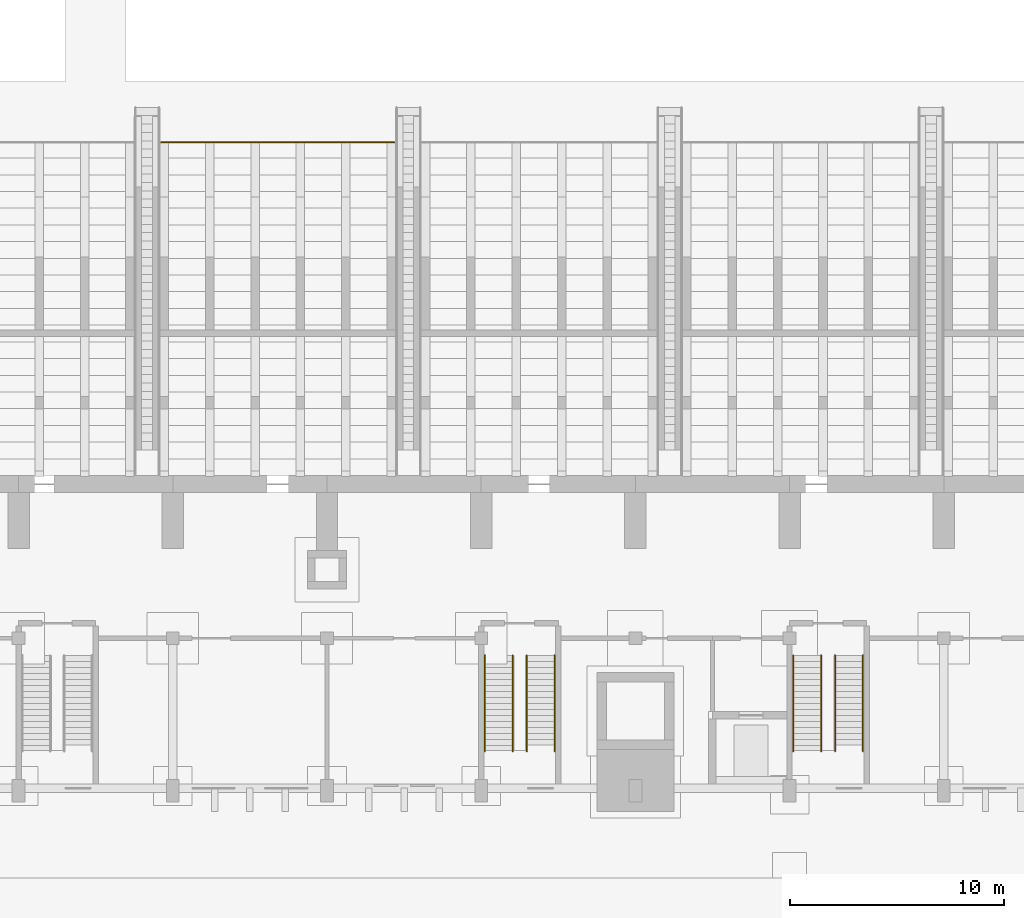
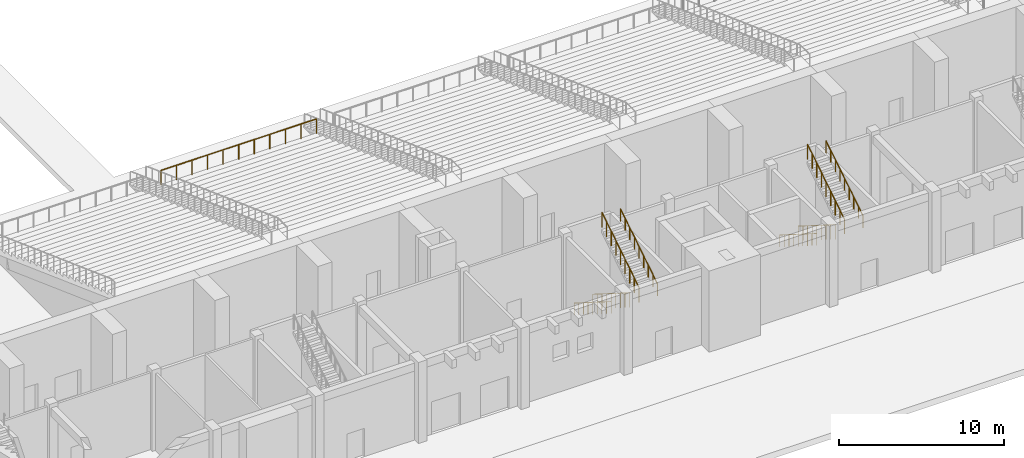
# One storey, part 60 of 70: 9 railings.
"""IFC4 building model written with IfcOpenShell, lengths in metres."""

from ifc_helpers import new_model, si_unit, direction, frame, origin, origin_2d, place, context, subcontext, project, spatial, circle, extrude, material, type_object, element, save


model = new_model("IFC4")

# Units and contexts
model_context = context("Model", 3, precision=1e-05, world=origin(), true_north=direction((0.0, 1.0)))
body_context = subcontext(model_context, "Body", "Model", "MODEL_VIEW")
ifc_project = project(units=[si_unit("LENGTHUNIT", "METRE"), si_unit("AREAUNIT", "SQUARE_METRE"), si_unit("VOLUMEUNIT", "CUBIC_METRE"), si_unit("PLANEANGLEUNIT", "RADIAN"), si_unit("MASSUNIT", "GRAM", prefix="KILO")], contexts=[model_context])

# Site, building, storey
site_placement = place(None, origin())
site = spatial("IfcSite", under=ifc_project, at=site_placement, CompositionType="ELEMENT")
building_placement = place(site_placement, origin())
building = spatial("IfcBuilding", under=site, at=building_placement, Name="Vermilion Court Aquatics Centre", CompositionType="ELEMENT")
storey_placement = place(building_placement, origin())
storey = spatial("IfcBuildingStorey", under=building, at=storey_placement, Name="L00", CompositionType="ELEMENT", Elevation=0.0)

# Railings
ifc_material_1 = material(Name="Steel ASTM A992 Grade 50", Category="steel")
railing_type_1 = type_object("IfcRailingType", Name="South stair guard 1100", PredefinedType="GUARDRAIL", material=ifc_material_1)
railing_1_placement = place(storey_placement, frame((66.27490234375, 6.39990234375, 0.176513671875)))
element("IfcRailing", 1, at=railing_1_placement, inside=storey, type_object=railing_type_1, Name="Stair guard S3.1E", PredefinedType="GUARDRAIL", context=body_context, shape_type="SweptSolid", body=[
    extrude(circle(Radius=0.02392578125, at=origin_2d()), frame((0.0, 0.0, 1.076171875), z_axis=(0.0, -0.846023287082, 0.533145944105), x_axis=(1.0, 0.0, 0.0)), (0.0, 0.0, 1.0), 0.66162109375),
    extrude(circle(Radius=0.02392578125, at=origin_2d()), frame((0.0, -0.559814453125, 1.4287109375), z_axis=(0.0, -0.845961766943, 0.533243554926), x_axis=(1.0, 0.0, 0.0)), (0.0, 0.0, 1.0), 0.662109375),
    extrude(circle(Radius=0.02392578125, at=origin_2d()), frame((0.0, -1.119873046875, 1.78173828125), z_axis=(0.0, -0.845961766943, 0.533243554926), x_axis=(1.0, 0.0, 0.0)), (0.0, 0.0, 1.0), 0.662109375),
    extrude(circle(Radius=0.02392578125, at=origin_2d()), frame((0.0, -1.679931640625, 2.134765625), z_axis=(0.0, -0.846128112635, 0.532979565282), x_axis=(1.0, 0.0, 0.0)), (0.0, 0.0, 1.0), 0.661865234375),
    extrude(circle(Radius=0.02392578125, at=origin_2d()), frame((0.0, -2.239990234375, 2.48779296875), z_axis=(0.0, -0.84585685817, 0.533409950682), x_axis=(1.0, 0.0, 0.0)), (0.0, 0.0, 1.0), 0.661865234375),
    extrude(circle(Radius=0.02392578125, at=origin_2d()), frame((0.0, -2.7998046875, 2.8408203125), z_axis=(0.0, -0.845961766943, 0.533243554926), x_axis=(1.0, 0.0, 0.0)), (0.0, 0.0, 1.0), 0.662109375),
    extrude(circle(Radius=0.02392578125, at=origin_2d()), frame((0.0, -3.35986328125, 3.19384765625), z_axis=(0.0, -0.846128112635, 0.532979565282), x_axis=(1.0, 0.0, 0.0)), (0.0, 0.0, 1.0), 0.661865234375),
    extrude(circle(Radius=0.02392578125, at=origin_2d()), frame((0.0, -3.919921875, 3.54638671875), z_axis=(0.0, -0.845961766943, 0.533243554926), x_axis=(1.0, 0.0, 0.0)), (0.0, 0.0, 1.0), 0.662109375),
    extrude(circle(Radius=0.02099609375, at=origin_2d()), origin(), (0.0, 0.0, 1.0), 1.052001953125),
    extrude(circle(Radius=0.02099609375, at=origin_2d()), frame((0.0, -0.559814453125, 0.352783203125)), (0.0, 0.0, 1.0), 1.052001953125),
    extrude(circle(Radius=0.02099609375, at=origin_2d()), frame((0.0, -1.119873046875, 0.705810546875)), (0.0, 0.0, 1.0), 1.052001953125),
    extrude(circle(Radius=0.02099609375, at=origin_2d()), frame((0.0, -1.679931640625, 1.058837890625)), (0.0, 0.0, 1.0), 1.052001953125),
    extrude(circle(Radius=0.02099609375, at=origin_2d()), frame((0.0, -2.239990234375, 1.41162109375)), (0.0, 0.0, 1.0), 1.052001953125),
    extrude(circle(Radius=0.02099609375, at=origin_2d()), frame((0.0, -2.7998046875, 1.7646484375)), (0.0, 0.0, 1.0), 1.052001953125),
    extrude(circle(Radius=0.02099609375, at=origin_2d()), frame((0.0, -3.35986328125, 2.11767578125)), (0.0, 0.0, 1.0), 1.052001953125),
    extrude(circle(Radius=0.02099609375, at=origin_2d()), frame((0.0, -3.919921875, 2.470458984375)), (0.0, 0.0, 1.0), 1.052001953125),
    extrude(circle(Radius=0.02099609375, at=origin_2d()), frame((0.0, -4.47998046875, 2.823486328125)), (0.0, 0.0, 1.0), 1.052001953125),
])
railing_2_placement = place(storey_placement, frame((66.925048828125, 1.919921875, 3.176513671875)))
element("IfcRailing", 2, at=railing_2_placement, inside=storey, type_object=railing_type_1, Name="Stair guard S3.2W", PredefinedType="GUARDRAIL", context=body_context, shape_type="SweptSolid", body=[
    extrude(circle(Radius=0.02392578125, at=origin_2d()), frame((0.0, 0.0, 1.076171875), z_axis=(0.0, 0.846128112635, 0.532979565282), x_axis=(-1.0, 0.0, 0.0)), (0.0, 0.0, 1.0), 0.661865234375),
    extrude(circle(Radius=0.02392578125, at=origin_2d()), frame((0.0, 0.56005859375, 1.4287109375), z_axis=(0.0, 0.845961766943, 0.533243554926), x_axis=(-1.0, 0.0, 0.0)), (0.0, 0.0, 1.0), 0.662109375),
    extrude(circle(Radius=0.02392578125, at=origin_2d()), frame((0.0, 1.1201171875, 1.78173828125), z_axis=(0.0, 0.845961766943, 0.533243554926), x_axis=(-1.0, 0.0, 0.0)), (0.0, 0.0, 1.0), 0.662109375),
    extrude(circle(Radius=0.02392578125, at=origin_2d()), frame((0.0, 1.68017578125, 2.134765625), z_axis=(0.0, 0.846023287082, 0.533145944105), x_axis=(-1.0, 0.0, 0.0)), (0.0, 0.0, 1.0), 0.66162109375),
    extrude(circle(Radius=0.02392578125, at=origin_2d()), frame((0.0, 2.239990234375, 2.48779296875), z_axis=(0.0, 0.845961766943, 0.533243554926), x_axis=(-1.0, 0.0, 0.0)), (0.0, 0.0, 1.0), 0.662109375),
    extrude(circle(Radius=0.02392578125, at=origin_2d()), frame((0.0, 2.800048828125, 2.8408203125), z_axis=(0.0, 0.845961766943, 0.533243554926), x_axis=(-1.0, 0.0, 0.0)), (0.0, 0.0, 1.0), 0.662109375),
    extrude(circle(Radius=0.02392578125, at=origin_2d()), frame((0.0, 3.360107421875, 3.19384765625), z_axis=(0.0, 0.846128112635, 0.532979565282), x_axis=(-1.0, 0.0, 0.0)), (0.0, 0.0, 1.0), 0.661865234375),
    extrude(circle(Radius=0.02392578125, at=origin_2d()), frame((0.0, 3.920166015625, 3.54638671875), z_axis=(0.0, 0.84585685817, 0.533409950682), x_axis=(-1.0, 0.0, 0.0)), (0.0, 0.0, 1.0), 0.661865234375),
    extrude(circle(Radius=0.02099609375, at=origin_2d()), origin(), (0.0, 0.0, 1.0), 1.052001953125),
    extrude(circle(Radius=0.02099609375, at=origin_2d()), frame((0.0, 0.56005859375, 0.352783203125)), (0.0, 0.0, 1.0), 1.052001953125),
    extrude(circle(Radius=0.02099609375, at=origin_2d()), frame((0.0, 1.1201171875, 0.705810546875)), (0.0, 0.0, 1.0), 1.052001953125),
    extrude(circle(Radius=0.02099609375, at=origin_2d()), frame((0.0, 1.68017578125, 1.058837890625)), (0.0, 0.0, 1.0), 1.052001953125),
    extrude(circle(Radius=0.02099609375, at=origin_2d()), frame((0.0, 2.239990234375, 1.41162109375)), (0.0, 0.0, 1.0), 1.052001953125),
    extrude(circle(Radius=0.02099609375, at=origin_2d()), frame((0.0, 2.800048828125, 1.7646484375)), (0.0, 0.0, 1.0), 1.052001953125),
    extrude(circle(Radius=0.02099609375, at=origin_2d()), frame((0.0, 3.360107421875, 2.11767578125)), (0.0, 0.0, 1.0), 1.052001953125),
    extrude(circle(Radius=0.02099609375, at=origin_2d()), frame((0.0, 3.920166015625, 2.470458984375)), (0.0, 0.0, 1.0), 1.052001953125),
    extrude(circle(Radius=0.02099609375, at=origin_2d()), frame((0.0, 4.47998046875, 2.823486328125)), (0.0, 0.0, 1.0), 1.052001953125),
])
railing_3_placement = place(storey_placement, frame((80.675048828125, 6.39990234375, 0.176513671875)))
element("IfcRailing", 3, at=railing_3_placement, inside=storey, type_object=railing_type_1, Name="Stair guard S4.1E", PredefinedType="GUARDRAIL", context=body_context, shape_type="SweptSolid", body=[
    extrude(circle(Radius=0.02392578125, at=origin_2d()), frame((0.0, 0.0, 1.076171875), z_axis=(0.0, -0.846023287082, 0.533145944105), x_axis=(1.0, 0.0, 0.0)), (0.0, 0.0, 1.0), 0.66162109375),
    extrude(circle(Radius=0.02392578125, at=origin_2d()), frame((0.0, -0.559814453125, 1.4287109375), z_axis=(0.0, -0.845961766943, 0.533243554926), x_axis=(1.0, 0.0, 0.0)), (0.0, 0.0, 1.0), 0.662109375),
    extrude(circle(Radius=0.02392578125, at=origin_2d()), frame((0.0, -1.119873046875, 1.78173828125), z_axis=(0.0, -0.845961766943, 0.533243554926), x_axis=(1.0, 0.0, 0.0)), (0.0, 0.0, 1.0), 0.662109375),
    extrude(circle(Radius=0.02392578125, at=origin_2d()), frame((0.0, -1.679931640625, 2.134765625), z_axis=(0.0, -0.846128112635, 0.532979565282), x_axis=(1.0, 0.0, 0.0)), (0.0, 0.0, 1.0), 0.661865234375),
    extrude(circle(Radius=0.02392578125, at=origin_2d()), frame((0.0, -2.239990234375, 2.48779296875), z_axis=(0.0, -0.84585685817, 0.533409950682), x_axis=(1.0, 0.0, 0.0)), (0.0, 0.0, 1.0), 0.661865234375),
    extrude(circle(Radius=0.02392578125, at=origin_2d()), frame((0.0, -2.7998046875, 2.8408203125), z_axis=(0.0, -0.845961766943, 0.533243554926), x_axis=(1.0, 0.0, 0.0)), (0.0, 0.0, 1.0), 0.662109375),
    extrude(circle(Radius=0.02392578125, at=origin_2d()), frame((0.0, -3.35986328125, 3.19384765625), z_axis=(0.0, -0.846128112635, 0.532979565282), x_axis=(1.0, 0.0, 0.0)), (0.0, 0.0, 1.0), 0.661865234375),
    extrude(circle(Radius=0.02392578125, at=origin_2d()), frame((0.0, -3.919921875, 3.54638671875), z_axis=(0.0, -0.845961766943, 0.533243554926), x_axis=(1.0, 0.0, 0.0)), (0.0, 0.0, 1.0), 0.662109375),
    extrude(circle(Radius=0.02099609375, at=origin_2d()), origin(), (0.0, 0.0, 1.0), 1.052001953125),
    extrude(circle(Radius=0.02099609375, at=origin_2d()), frame((0.0, -0.559814453125, 0.352783203125)), (0.0, 0.0, 1.0), 1.052001953125),
    extrude(circle(Radius=0.02099609375, at=origin_2d()), frame((0.0, -1.119873046875, 0.705810546875)), (0.0, 0.0, 1.0), 1.052001953125),
    extrude(circle(Radius=0.02099609375, at=origin_2d()), frame((0.0, -1.679931640625, 1.058837890625)), (0.0, 0.0, 1.0), 1.052001953125),
    extrude(circle(Radius=0.02099609375, at=origin_2d()), frame((0.0, -2.239990234375, 1.41162109375)), (0.0, 0.0, 1.0), 1.052001953125),
    extrude(circle(Radius=0.02099609375, at=origin_2d()), frame((0.0, -2.7998046875, 1.7646484375)), (0.0, 0.0, 1.0), 1.052001953125),
    extrude(circle(Radius=0.02099609375, at=origin_2d()), frame((0.0, -3.35986328125, 2.11767578125)), (0.0, 0.0, 1.0), 1.052001953125),
    extrude(circle(Radius=0.02099609375, at=origin_2d()), frame((0.0, -3.919921875, 2.470458984375)), (0.0, 0.0, 1.0), 1.052001953125),
    extrude(circle(Radius=0.02099609375, at=origin_2d()), frame((0.0, -4.47998046875, 2.823486328125)), (0.0, 0.0, 1.0), 1.052001953125),
])
railing_4_placement = place(storey_placement, frame((81.324951171875, 1.919921875, 3.176513671875)))
element("IfcRailing", 4, at=railing_4_placement, inside=storey, type_object=railing_type_1, Name="Stair guard S4.2W", PredefinedType="GUARDRAIL", context=body_context, shape_type="SweptSolid", body=[
    extrude(circle(Radius=0.02392578125, at=origin_2d()), frame((0.0, 0.0, 1.076171875), z_axis=(0.0, 0.846128112635, 0.532979565282), x_axis=(-1.0, 0.0, 0.0)), (0.0, 0.0, 1.0), 0.661865234375),
    extrude(circle(Radius=0.02392578125, at=origin_2d()), frame((0.0, 0.56005859375, 1.4287109375), z_axis=(0.0, 0.845961766943, 0.533243554926), x_axis=(-1.0, 0.0, 0.0)), (0.0, 0.0, 1.0), 0.662109375),
    extrude(circle(Radius=0.02392578125, at=origin_2d()), frame((0.0, 1.1201171875, 1.78173828125), z_axis=(0.0, 0.845961766943, 0.533243554926), x_axis=(-1.0, 0.0, 0.0)), (0.0, 0.0, 1.0), 0.662109375),
    extrude(circle(Radius=0.02392578125, at=origin_2d()), frame((0.0, 1.68017578125, 2.134765625), z_axis=(0.0, 0.846023287082, 0.533145944105), x_axis=(-1.0, 0.0, 0.0)), (0.0, 0.0, 1.0), 0.66162109375),
    extrude(circle(Radius=0.02392578125, at=origin_2d()), frame((0.0, 2.239990234375, 2.48779296875), z_axis=(0.0, 0.845961766943, 0.533243554926), x_axis=(-1.0, 0.0, 0.0)), (0.0, 0.0, 1.0), 0.662109375),
    extrude(circle(Radius=0.02392578125, at=origin_2d()), frame((0.0, 2.800048828125, 2.8408203125), z_axis=(0.0, 0.845961766943, 0.533243554926), x_axis=(-1.0, 0.0, 0.0)), (0.0, 0.0, 1.0), 0.662109375),
    extrude(circle(Radius=0.02392578125, at=origin_2d()), frame((0.0, 3.360107421875, 3.19384765625), z_axis=(0.0, 0.846128112635, 0.532979565282), x_axis=(-1.0, 0.0, 0.0)), (0.0, 0.0, 1.0), 0.661865234375),
    extrude(circle(Radius=0.02392578125, at=origin_2d()), frame((0.0, 3.920166015625, 3.54638671875), z_axis=(0.0, 0.84585685817, 0.533409950682), x_axis=(-1.0, 0.0, 0.0)), (0.0, 0.0, 1.0), 0.661865234375),
    extrude(circle(Radius=0.02099609375, at=origin_2d()), origin(), (0.0, 0.0, 1.0), 1.052001953125),
    extrude(circle(Radius=0.02099609375, at=origin_2d()), frame((0.0, 0.56005859375, 0.352783203125)), (0.0, 0.0, 1.0), 1.052001953125),
    extrude(circle(Radius=0.02099609375, at=origin_2d()), frame((0.0, 1.1201171875, 0.705810546875)), (0.0, 0.0, 1.0), 1.052001953125),
    extrude(circle(Radius=0.02099609375, at=origin_2d()), frame((0.0, 1.68017578125, 1.058837890625)), (0.0, 0.0, 1.0), 1.052001953125),
    extrude(circle(Radius=0.02099609375, at=origin_2d()), frame((0.0, 2.239990234375, 1.41162109375)), (0.0, 0.0, 1.0), 1.052001953125),
    extrude(circle(Radius=0.02099609375, at=origin_2d()), frame((0.0, 2.800048828125, 1.7646484375)), (0.0, 0.0, 1.0), 1.052001953125),
    extrude(circle(Radius=0.02099609375, at=origin_2d()), frame((0.0, 3.360107421875, 2.11767578125)), (0.0, 0.0, 1.0), 1.052001953125),
    extrude(circle(Radius=0.02099609375, at=origin_2d()), frame((0.0, 3.920166015625, 2.470458984375)), (0.0, 0.0, 1.0), 1.052001953125),
    extrude(circle(Radius=0.02099609375, at=origin_2d()), frame((0.0, 4.47998046875, 2.823486328125)), (0.0, 0.0, 1.0), 1.052001953125),
])
ifc_material_2 = material(Name="Steel ASTM A992 Grade 50", Category="steel")
railing_type_2 = type_object("IfcRailingType", Name="South stair handrail 900", PredefinedType="HANDRAIL", material=ifc_material_2)
railing_5_placement = place(storey_placement, frame((64.97509765625, 6.39990234375, 0.176513671875)))
element("IfcRailing", 5, at=railing_5_placement, inside=storey, type_object=railing_type_2, Name="Stair handrail S3.1W", PredefinedType="HANDRAIL", context=body_context, shape_type="SweptSolid", body=[
    extrude(circle(Radius=0.02392578125, at=origin_2d()), frame((0.0, 0.0, 0.8759765625), z_axis=(0.0, -0.846023287082, 0.533145944105), x_axis=(1.0, 0.0, 0.0)), (0.0, 0.0, 1.0), 0.66162109375),
    extrude(circle(Radius=0.02392578125, at=origin_2d()), frame((0.0, -0.559814453125, 1.228515625), z_axis=(0.0, -0.845961766943, 0.533243554926), x_axis=(1.0, 0.0, 0.0)), (0.0, 0.0, 1.0), 0.662109375),
    extrude(circle(Radius=0.02392578125, at=origin_2d()), frame((0.0, -1.119873046875, 1.58154296875), z_axis=(0.0, -0.845961766943, 0.533243554926), x_axis=(1.0, 0.0, 0.0)), (0.0, 0.0, 1.0), 0.662109375),
    extrude(circle(Radius=0.02392578125, at=origin_2d()), frame((0.0, -1.679931640625, 1.9345703125), z_axis=(0.0, -0.846128112635, 0.532979565282), x_axis=(1.0, 0.0, 0.0)), (0.0, 0.0, 1.0), 0.661865234375),
    extrude(circle(Radius=0.02392578125, at=origin_2d()), frame((0.0, -2.239990234375, 2.28759765625), z_axis=(0.0, -0.84585685817, 0.533409950682), x_axis=(1.0, 0.0, 0.0)), (0.0, 0.0, 1.0), 0.661865234375),
    extrude(circle(Radius=0.02392578125, at=origin_2d()), frame((0.0, -2.7998046875, 2.640625), z_axis=(0.0, -0.845961766943, 0.533243554926), x_axis=(1.0, 0.0, 0.0)), (0.0, 0.0, 1.0), 0.662109375),
    extrude(circle(Radius=0.02392578125, at=origin_2d()), frame((0.0, -3.35986328125, 2.99365234375), z_axis=(0.0, -0.846128112635, 0.532979565282), x_axis=(1.0, 0.0, 0.0)), (0.0, 0.0, 1.0), 0.661865234375),
    extrude(circle(Radius=0.02392578125, at=origin_2d()), frame((0.0, -3.919921875, 3.34619140625), z_axis=(0.0, -0.845961766943, 0.533243554926), x_axis=(1.0, 0.0, 0.0)), (0.0, 0.0, 1.0), 0.662109375),
    extrude(circle(Radius=0.02099609375, at=origin_2d()), origin(), (0.0, 0.0, 1.0), 0.851806640625),
    extrude(circle(Radius=0.02099609375, at=origin_2d()), frame((0.0, -0.559814453125, 0.352783203125)), (0.0, 0.0, 1.0), 0.851806640625),
    extrude(circle(Radius=0.02099609375, at=origin_2d()), frame((0.0, -1.119873046875, 0.705810546875)), (0.0, 0.0, 1.0), 0.851806640625),
    extrude(circle(Radius=0.02099609375, at=origin_2d()), frame((0.0, -1.679931640625, 1.058837890625)), (0.0, 0.0, 1.0), 0.851806640625),
    extrude(circle(Radius=0.02099609375, at=origin_2d()), frame((0.0, -2.239990234375, 1.41162109375)), (0.0, 0.0, 1.0), 0.851806640625),
    extrude(circle(Radius=0.02099609375, at=origin_2d()), frame((0.0, -2.7998046875, 1.7646484375)), (0.0, 0.0, 1.0), 0.851806640625),
    extrude(circle(Radius=0.02099609375, at=origin_2d()), frame((0.0, -3.35986328125, 2.11767578125)), (0.0, 0.0, 1.0), 0.851806640625),
    extrude(circle(Radius=0.02099609375, at=origin_2d()), frame((0.0, -3.919921875, 2.470458984375)), (0.0, 0.0, 1.0), 0.851806640625),
    extrude(circle(Radius=0.02099609375, at=origin_2d()), frame((0.0, -4.47998046875, 2.823486328125)), (0.0, 0.0, 1.0), 0.851806640625),
])
railing_6_placement = place(storey_placement, frame((68.22509765625, 1.919921875, 3.176513671875)))
element("IfcRailing", 6, at=railing_6_placement, inside=storey, type_object=railing_type_2, Name="Stair handrail S3.2E", PredefinedType="HANDRAIL", context=body_context, shape_type="SweptSolid", body=[
    extrude(circle(Radius=0.02392578125, at=origin_2d()), frame((0.0, 0.0, 0.8759765625), z_axis=(0.0, 0.846128112635, 0.532979565282), x_axis=(-1.0, 0.0, 0.0)), (0.0, 0.0, 1.0), 0.661865234375),
    extrude(circle(Radius=0.02392578125, at=origin_2d()), frame((0.0, 0.56005859375, 1.228515625), z_axis=(0.0, 0.845961766943, 0.533243554926), x_axis=(-1.0, 0.0, 0.0)), (0.0, 0.0, 1.0), 0.662109375),
    extrude(circle(Radius=0.02392578125, at=origin_2d()), frame((0.0, 1.1201171875, 1.58154296875), z_axis=(0.0, 0.845961766943, 0.533243554926), x_axis=(-1.0, 0.0, 0.0)), (0.0, 0.0, 1.0), 0.662109375),
    extrude(circle(Radius=0.02392578125, at=origin_2d()), frame((0.0, 1.68017578125, 1.9345703125), z_axis=(0.0, 0.846023287082, 0.533145944105), x_axis=(-1.0, 0.0, 0.0)), (0.0, 0.0, 1.0), 0.66162109375),
    extrude(circle(Radius=0.02392578125, at=origin_2d()), frame((0.0, 2.239990234375, 2.28759765625), z_axis=(0.0, 0.845961766943, 0.533243554926), x_axis=(-1.0, 0.0, 0.0)), (0.0, 0.0, 1.0), 0.662109375),
    extrude(circle(Radius=0.02392578125, at=origin_2d()), frame((0.0, 2.800048828125, 2.640625), z_axis=(0.0, 0.845961766943, 0.533243554926), x_axis=(-1.0, 0.0, 0.0)), (0.0, 0.0, 1.0), 0.662109375),
    extrude(circle(Radius=0.02392578125, at=origin_2d()), frame((0.0, 3.360107421875, 2.99365234375), z_axis=(0.0, 0.846128112635, 0.532979565282), x_axis=(-1.0, 0.0, 0.0)), (0.0, 0.0, 1.0), 0.661865234375),
    extrude(circle(Radius=0.02392578125, at=origin_2d()), frame((0.0, 3.920166015625, 3.34619140625), z_axis=(0.0, 0.84585685817, 0.533409950682), x_axis=(-1.0, 0.0, 0.0)), (0.0, 0.0, 1.0), 0.661865234375),
    extrude(circle(Radius=0.02099609375, at=origin_2d()), origin(), (0.0, 0.0, 1.0), 0.851806640625),
    extrude(circle(Radius=0.02099609375, at=origin_2d()), frame((0.0, 0.56005859375, 0.352783203125)), (0.0, 0.0, 1.0), 0.851806640625),
    extrude(circle(Radius=0.02099609375, at=origin_2d()), frame((0.0, 1.1201171875, 0.705810546875)), (0.0, 0.0, 1.0), 0.851806640625),
    extrude(circle(Radius=0.02099609375, at=origin_2d()), frame((0.0, 1.68017578125, 1.058837890625)), (0.0, 0.0, 1.0), 0.851806640625),
    extrude(circle(Radius=0.02099609375, at=origin_2d()), frame((0.0, 2.239990234375, 1.41162109375)), (0.0, 0.0, 1.0), 0.851806640625),
    extrude(circle(Radius=0.02099609375, at=origin_2d()), frame((0.0, 2.800048828125, 1.7646484375)), (0.0, 0.0, 1.0), 0.851806640625),
    extrude(circle(Radius=0.02099609375, at=origin_2d()), frame((0.0, 3.360107421875, 2.11767578125)), (0.0, 0.0, 1.0), 0.851806640625),
    extrude(circle(Radius=0.02099609375, at=origin_2d()), frame((0.0, 3.920166015625, 2.470458984375)), (0.0, 0.0, 1.0), 0.851806640625),
    extrude(circle(Radius=0.02099609375, at=origin_2d()), frame((0.0, 4.47998046875, 2.823486328125)), (0.0, 0.0, 1.0), 0.851806640625),
])
railing_7_placement = place(storey_placement, frame((79.375, 6.39990234375, 0.176513671875)))
element("IfcRailing", 7, at=railing_7_placement, inside=storey, type_object=railing_type_2, Name="Stair handrail S4.1W", PredefinedType="HANDRAIL", context=body_context, shape_type="SweptSolid", body=[
    extrude(circle(Radius=0.02392578125, at=origin_2d()), frame((0.0, 0.0, 0.8759765625), z_axis=(0.0, -0.846023287082, 0.533145944105), x_axis=(1.0, 0.0, 0.0)), (0.0, 0.0, 1.0), 0.66162109375),
    extrude(circle(Radius=0.02392578125, at=origin_2d()), frame((0.0, -0.559814453125, 1.228515625), z_axis=(0.0, -0.845961766943, 0.533243554926), x_axis=(1.0, 0.0, 0.0)), (0.0, 0.0, 1.0), 0.662109375),
    extrude(circle(Radius=0.02392578125, at=origin_2d()), frame((0.0, -1.119873046875, 1.58154296875), z_axis=(0.0, -0.845961766943, 0.533243554926), x_axis=(1.0, 0.0, 0.0)), (0.0, 0.0, 1.0), 0.662109375),
    extrude(circle(Radius=0.02392578125, at=origin_2d()), frame((0.0, -1.679931640625, 1.9345703125), z_axis=(0.0, -0.846128112635, 0.532979565282), x_axis=(1.0, 0.0, 0.0)), (0.0, 0.0, 1.0), 0.661865234375),
    extrude(circle(Radius=0.02392578125, at=origin_2d()), frame((0.0, -2.239990234375, 2.28759765625), z_axis=(0.0, -0.84585685817, 0.533409950682), x_axis=(1.0, 0.0, 0.0)), (0.0, 0.0, 1.0), 0.661865234375),
    extrude(circle(Radius=0.02392578125, at=origin_2d()), frame((0.0, -2.7998046875, 2.640625), z_axis=(0.0, -0.845961766943, 0.533243554926), x_axis=(1.0, 0.0, 0.0)), (0.0, 0.0, 1.0), 0.662109375),
    extrude(circle(Radius=0.02392578125, at=origin_2d()), frame((0.0, -3.35986328125, 2.99365234375), z_axis=(0.0, -0.846128112635, 0.532979565282), x_axis=(1.0, 0.0, 0.0)), (0.0, 0.0, 1.0), 0.661865234375),
    extrude(circle(Radius=0.02392578125, at=origin_2d()), frame((0.0, -3.919921875, 3.34619140625), z_axis=(0.0, -0.845961766943, 0.533243554926), x_axis=(1.0, 0.0, 0.0)), (0.0, 0.0, 1.0), 0.662109375),
    extrude(circle(Radius=0.02099609375, at=origin_2d()), origin(), (0.0, 0.0, 1.0), 0.851806640625),
    extrude(circle(Radius=0.02099609375, at=origin_2d()), frame((0.0, -0.559814453125, 0.352783203125)), (0.0, 0.0, 1.0), 0.851806640625),
    extrude(circle(Radius=0.02099609375, at=origin_2d()), frame((0.0, -1.119873046875, 0.705810546875)), (0.0, 0.0, 1.0), 0.851806640625),
    extrude(circle(Radius=0.02099609375, at=origin_2d()), frame((0.0, -1.679931640625, 1.058837890625)), (0.0, 0.0, 1.0), 0.851806640625),
    extrude(circle(Radius=0.02099609375, at=origin_2d()), frame((0.0, -2.239990234375, 1.41162109375)), (0.0, 0.0, 1.0), 0.851806640625),
    extrude(circle(Radius=0.02099609375, at=origin_2d()), frame((0.0, -2.7998046875, 1.7646484375)), (0.0, 0.0, 1.0), 0.851806640625),
    extrude(circle(Radius=0.02099609375, at=origin_2d()), frame((0.0, -3.35986328125, 2.11767578125)), (0.0, 0.0, 1.0), 0.851806640625),
    extrude(circle(Radius=0.02099609375, at=origin_2d()), frame((0.0, -3.919921875, 2.470458984375)), (0.0, 0.0, 1.0), 0.851806640625),
    extrude(circle(Radius=0.02099609375, at=origin_2d()), frame((0.0, -4.47998046875, 2.823486328125)), (0.0, 0.0, 1.0), 0.851806640625),
])
railing_8_placement = place(storey_placement, frame((82.625, 1.919921875, 3.176513671875)))
element("IfcRailing", 8, at=railing_8_placement, inside=storey, type_object=railing_type_2, Name="Stair handrail S4.2E", PredefinedType="HANDRAIL", context=body_context, shape_type="SweptSolid", body=[
    extrude(circle(Radius=0.02392578125, at=origin_2d()), frame((0.0, 0.0, 0.8759765625), z_axis=(0.0, 0.846128112635, 0.532979565282), x_axis=(-1.0, 0.0, 0.0)), (0.0, 0.0, 1.0), 0.661865234375),
    extrude(circle(Radius=0.02392578125, at=origin_2d()), frame((0.0, 0.56005859375, 1.228515625), z_axis=(0.0, 0.845961766943, 0.533243554926), x_axis=(-1.0, 0.0, 0.0)), (0.0, 0.0, 1.0), 0.662109375),
    extrude(circle(Radius=0.02392578125, at=origin_2d()), frame((0.0, 1.1201171875, 1.58154296875), z_axis=(0.0, 0.845961766943, 0.533243554926), x_axis=(-1.0, 0.0, 0.0)), (0.0, 0.0, 1.0), 0.662109375),
    extrude(circle(Radius=0.02392578125, at=origin_2d()), frame((0.0, 1.68017578125, 1.9345703125), z_axis=(0.0, 0.846023287082, 0.533145944105), x_axis=(-1.0, 0.0, 0.0)), (0.0, 0.0, 1.0), 0.66162109375),
    extrude(circle(Radius=0.02392578125, at=origin_2d()), frame((0.0, 2.239990234375, 2.28759765625), z_axis=(0.0, 0.845961766943, 0.533243554926), x_axis=(-1.0, 0.0, 0.0)), (0.0, 0.0, 1.0), 0.662109375),
    extrude(circle(Radius=0.02392578125, at=origin_2d()), frame((0.0, 2.800048828125, 2.640625), z_axis=(0.0, 0.845961766943, 0.533243554926), x_axis=(-1.0, 0.0, 0.0)), (0.0, 0.0, 1.0), 0.662109375),
    extrude(circle(Radius=0.02392578125, at=origin_2d()), frame((0.0, 3.360107421875, 2.99365234375), z_axis=(0.0, 0.846128112635, 0.532979565282), x_axis=(-1.0, 0.0, 0.0)), (0.0, 0.0, 1.0), 0.661865234375),
    extrude(circle(Radius=0.02392578125, at=origin_2d()), frame((0.0, 3.920166015625, 3.34619140625), z_axis=(0.0, 0.84585685817, 0.533409950682), x_axis=(-1.0, 0.0, 0.0)), (0.0, 0.0, 1.0), 0.661865234375),
    extrude(circle(Radius=0.02099609375, at=origin_2d()), origin(), (0.0, 0.0, 1.0), 0.851806640625),
    extrude(circle(Radius=0.02099609375, at=origin_2d()), frame((0.0, 0.56005859375, 0.352783203125)), (0.0, 0.0, 1.0), 0.851806640625),
    extrude(circle(Radius=0.02099609375, at=origin_2d()), frame((0.0, 1.1201171875, 0.705810546875)), (0.0, 0.0, 1.0), 0.851806640625),
    extrude(circle(Radius=0.02099609375, at=origin_2d()), frame((0.0, 1.68017578125, 1.058837890625)), (0.0, 0.0, 1.0), 0.851806640625),
    extrude(circle(Radius=0.02099609375, at=origin_2d()), frame((0.0, 2.239990234375, 1.41162109375)), (0.0, 0.0, 1.0), 0.851806640625),
    extrude(circle(Radius=0.02099609375, at=origin_2d()), frame((0.0, 2.800048828125, 1.7646484375)), (0.0, 0.0, 1.0), 0.851806640625),
    extrude(circle(Radius=0.02099609375, at=origin_2d()), frame((0.0, 3.360107421875, 2.11767578125)), (0.0, 0.0, 1.0), 0.851806640625),
    extrude(circle(Radius=0.02099609375, at=origin_2d()), frame((0.0, 3.920166015625, 2.470458984375)), (0.0, 0.0, 1.0), 0.851806640625),
    extrude(circle(Radius=0.02099609375, at=origin_2d()), frame((0.0, 4.47998046875, 2.823486328125)), (0.0, 0.0, 1.0), 0.851806640625),
])
ifc_material_3 = material(Name="Steel ASTM A992 Grade 50", Category="steel")
railing_type_3 = type_object("IfcRailingType", Name="Tribune tier guard 1100", PredefinedType="GUARDRAIL", material=ifc_material_3)
railing_9_placement = place(storey_placement, frame((49.85009765625, 30.35009765625, 0.571533203125)))
element("IfcRailing", 9, at=railing_9_placement, inside=storey, type_object=railing_type_3, Name="Tribune front guard 2", PredefinedType="GUARDRAIL", context=body_context, shape_type="SweptSolid", body=[
    extrude(circle(Radius=0.02392578125, at=origin_2d()), frame((0.0, 0.0, 1.076171875), z_axis=(1.0, 0.0, 0.0), x_axis=(0.0, 1.0, 0.0)), (0.0, 0.0, 1.0), 10.89990234375),
    extrude(circle(Radius=0.02099609375, at=origin_2d()), origin(), (0.0, 0.0, 1.0), 1.052001953125),
    extrude(circle(Radius=0.02099609375, at=origin_2d()), frame((1.090087890625, 0.0, 0.0)), (0.0, 0.0, 1.0), 1.052001953125),
    extrude(circle(Radius=0.02099609375, at=origin_2d()), frame((2.179931640625, 0.0, 0.0)), (0.0, 0.0, 1.0), 1.052001953125),
    extrude(circle(Radius=0.02099609375, at=origin_2d()), frame((3.27001953125, 0.0, 0.0)), (0.0, 0.0, 1.0), 1.052001953125),
    extrude(circle(Radius=0.02099609375, at=origin_2d()), frame((4.35986328125, 0.0, 0.0)), (0.0, 0.0, 1.0), 1.052001953125),
    extrude(circle(Radius=0.02099609375, at=origin_2d()), frame((5.449951171875, 0.0, 0.0)), (0.0, 0.0, 1.0), 1.052001953125),
    extrude(circle(Radius=0.02099609375, at=origin_2d()), frame((6.5400390625, 0.0, 0.0)), (0.0, 0.0, 1.0), 1.052001953125),
    extrude(circle(Radius=0.02099609375, at=origin_2d()), frame((7.6298828125, 0.0, 0.0)), (0.0, 0.0, 1.0), 1.052001953125),
    extrude(circle(Radius=0.02099609375, at=origin_2d()), frame((8.719970703125, 0.0, 0.0)), (0.0, 0.0, 1.0), 1.052001953125),
    extrude(circle(Radius=0.02099609375, at=origin_2d()), frame((9.809814453125, 0.0, 0.0)), (0.0, 0.0, 1.0), 1.052001953125),
    extrude(circle(Radius=0.02099609375, at=origin_2d()), frame((10.89990234375, 0.0, 0.0)), (0.0, 0.0, 1.0), 1.052001953125),
])

save(model, "model.ifc")
